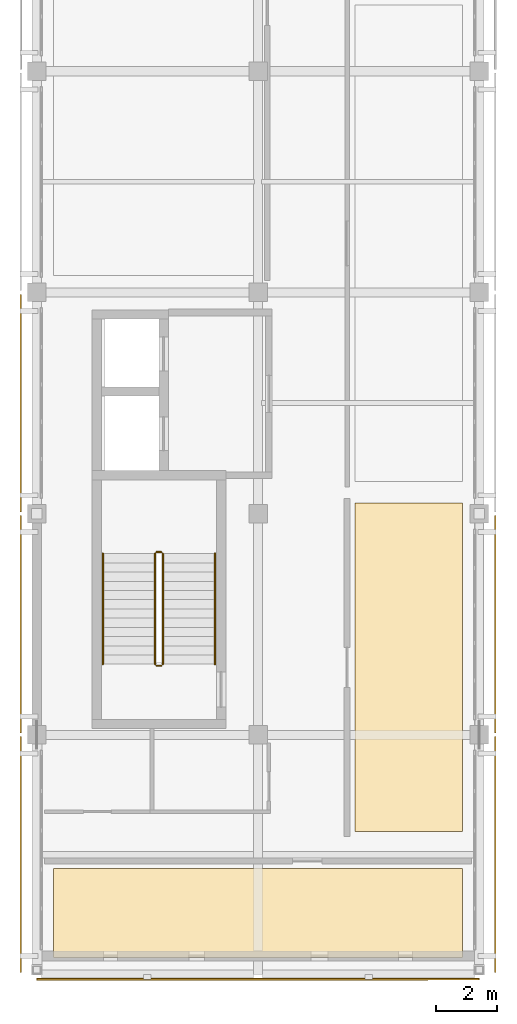
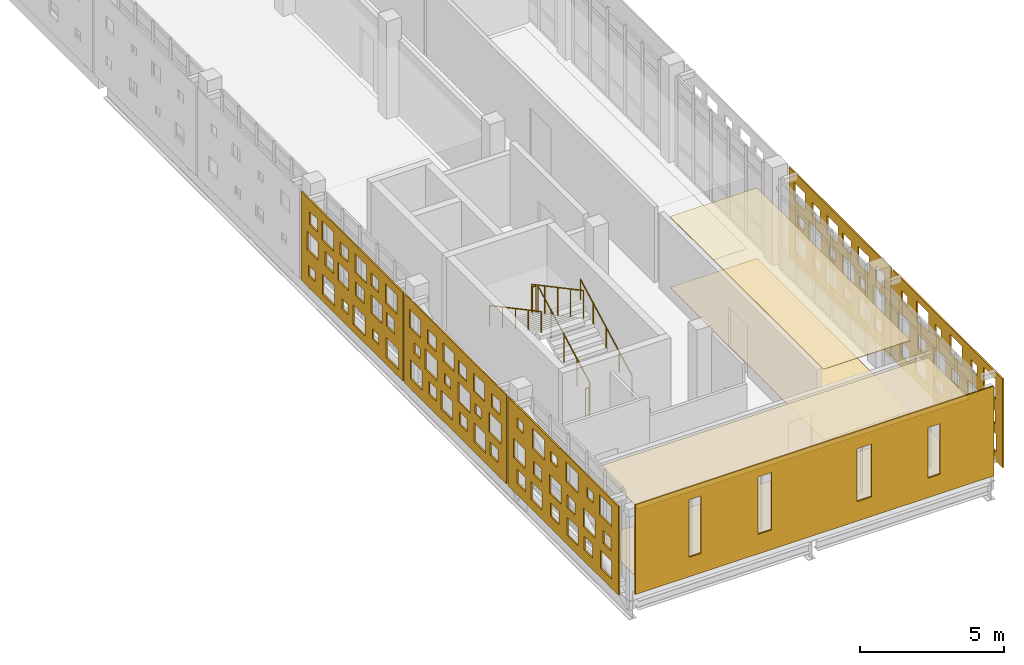
# One storey, part 19 of 21: 10 coverings, 6 railings.
"""IFC4 building model written with IfcOpenShell, lengths in metres."""

import ifcopenshell
import ifcopenshell.guid

model = None  # the IFC model being written
_history = None  # IfcOwnerHistory: only IFC2X3 demands one
_inside = {}  # id of a spatial element -> (the spatial element, [elements in it])
_under = {}  # id of a project, library or spatial element -> (it, [spatial elements below it])
_declared = {}  # id of a project -> (the project, [libraries it declares])
_typed = {}  # id of a type object -> (the type object, [elements of that type])
_made_of = {}  # id of a material, layer set ... -> (it, [elements and type objects made of it])


def new_model(schema):
    """Start an empty IFC model of exactly this schema.

    Asked for "IFC4X3", IfcOpenShell would pick the latest addendum, in which some entities
    have other attributes; the version numbers below select the first issue.
    IFC2X3 requires an IfcOwnerHistory on every rooted entity: one is made here for all.
    """
    global model, _history
    if schema == "IFC4X3":
        model = ifcopenshell.file(schema_version=(4, 3, 0, 0))
    else:
        model = ifcopenshell.file(schema=schema)
    _inside.clear()
    _under.clear()
    _declared.clear()
    _typed.clear()
    _made_of.clear()
    _history = None
    if model.schema == "IFC2X3":
        org = make("IfcOrganization", Name="unknown")
        user = make(
            "IfcPersonAndOrganization",
            ThePerson=make("IfcPerson", FamilyName="unknown"),
            TheOrganization=org,
        )
        app = make(
            "IfcApplication",
            ApplicationDeveloper=org,
            Version="unknown",
            ApplicationFullName="unknown",
            ApplicationIdentifier="unknown",
        )
        _history = make(
            "IfcOwnerHistory",
            OwningUser=user,
            OwningApplication=app,
            ChangeAction="ADDED",
            CreationDate=0,
        )
    return model


def make(cls, **values):
    """One entity of the class cls with the attributes given. An attribute that is None is left unset."""
    return model.create_entity(
        cls, **{name: value for name, value in values.items() if value is not None}
    )


def rooted(cls, **values):
    """An entity with a GlobalId (a new one), such as an element, a storey or a relation."""
    return make(cls, GlobalId=ifcopenshell.guid.new(), OwnerHistory=_history, **values)


def si_unit(unit_type, name, prefix=None):
    """IfcSIUnit, for example si_unit("LENGTHUNIT", "METRE", prefix="MILLI")."""
    return make("IfcSIUnit", UnitType=unit_type, Prefix=prefix, Name=name)


def assignment(units):
    """IfcUnitAssignment: the units of a project."""
    return None if units is None else make("IfcUnitAssignment", Units=units)


def point(xyz):
    """IfcCartesianPoint."""
    return None if xyz is None else make("IfcCartesianPoint", Coordinates=xyz)


def direction(xyz):
    """IfcDirection."""
    return None if xyz is None else make("IfcDirection", DirectionRatios=xyz)


def frame(location, z_axis=None, x_axis=None):
    """IfcAxis2Placement3D, a coordinate frame: its origin and axes. An axis left out is left unset."""
    return make(
        "IfcAxis2Placement3D",
        Location=point(location),
        Axis=direction(z_axis),
        RefDirection=direction(x_axis),
    )


def frame_2d(location, x_axis=None):
    """IfcAxis2Placement2D, a coordinate frame in the plane: its origin and x axis."""
    return make(
        "IfcAxis2Placement2D", Location=point(location), RefDirection=direction(x_axis)
    )


def origin():
    """The frame at (0, 0, 0) with its axes left unset."""
    return frame((0.0, 0.0, 0.0))


def origin_2d():
    """The frame at (0, 0) in the plane with its x axis left unset."""
    return frame_2d((0.0, 0.0))


def place(relative_to, where):
    """IfcLocalPlacement: puts the frame where relative to a parent placement (None: the world)."""
    return make(
        "IfcLocalPlacement", PlacementRelTo=relative_to, RelativePlacement=where
    )


def context(
    kind, dimensions, precision=None, world=None, true_north=None, identifier=None
):
    """IfcGeometricRepresentationContext, for example the 3D "Model" context."""
    return make(
        "IfcGeometricRepresentationContext",
        ContextIdentifier=identifier,
        ContextType=kind,
        CoordinateSpaceDimension=dimensions,
        Precision=precision,
        WorldCoordinateSystem=world,
        TrueNorth=true_north,
    )


def subcontext(parent, identifier, kind, view, scale=None):
    """IfcGeometricRepresentationSubContext, for example "Body" below "Model"."""
    return make(
        "IfcGeometricRepresentationSubContext",
        ContextIdentifier=identifier,
        ContextType=kind,
        ParentContext=parent,
        TargetScale=scale,
        TargetView=view,
    )


def project(units=None, contexts=None):
    """IfcProject with its units and contexts."""
    return rooted(
        "IfcProject",
        Name="project",
        RepresentationContexts=contexts,
        UnitsInContext=assignment(units),
    )


def spatial(cls, under=None, at=None, **own):
    """A site, building, storey or space (cls), placed at a placement, below another one or the project."""
    s = rooted(cls, ObjectPlacement=at, **own)
    if under is not None:
        _under.setdefault(under.id(), (under, []))[1].append(s)
    return s


def polyline(points):
    """IfcPolyline through the points."""
    return make("IfcPolyline", Points=[point(p) for p in points])


def profile(cls, at=None, kind="AREA", **sizes):
    """A parametric profile (cls). Its sizes go by their IFC names, for example OverallWidth=200.0."""
    return make(cls, ProfileType=kind, Position=at, **sizes)


def circle(**sizes):
    """IfcCircleProfileDef."""
    return profile("IfcCircleProfileDef", **sizes)


def outline(outer, holes=None, kind="AREA"):
    """IfcArbitraryClosedProfileDef: a profile drawn as a closed curve; with holes, ...WithVoids."""
    if holes is None:
        return make("IfcArbitraryClosedProfileDef", ProfileType=kind, OuterCurve=outer)
    return make(
        "IfcArbitraryProfileDefWithVoids",
        ProfileType=kind,
        OuterCurve=outer,
        InnerCurves=holes,
    )


def extrude(swept, where, along, depth):
    """IfcExtrudedAreaSolid: the profile swept, set in the frame where, extruded along a direction by depth."""
    return make(
        "IfcExtrudedAreaSolid",
        SweptArea=swept,
        Position=where,
        ExtrudedDirection=direction(along),
        Depth=depth,
    )


def shape(context_of_items, identifier, shape_type, items):
    """IfcShapeRepresentation: the items that make up one representation, for example the "Body"."""
    return make(
        "IfcShapeRepresentation",
        ContextOfItems=context_of_items,
        RepresentationIdentifier=identifier,
        RepresentationType=shape_type,
        Items=items,
    )


def material(Name=None, Category=None):
    """IfcMaterial."""
    return make("IfcMaterial", Name=Name, Category=Category)


def layer(
    of_material, thickness, ventilated=None, Name=None, Category=None, Priority=None
):
    """IfcMaterialLayer: one layer of a wall or slab, of a material (None: an air gap)."""
    return make(
        "IfcMaterialLayer",
        Material=of_material,
        LayerThickness=thickness,
        IsVentilated=ventilated,
        Name=Name,
        Category=Category,
        Priority=Priority,
    )


def layer_set(layers, Name=None):
    """IfcMaterialLayerSet."""
    return make("IfcMaterialLayerSet", MaterialLayers=layers, LayerSetName=Name)


def made_of(thing, what):
    """Note that an element or type object is made of a material, layer set ...; save() writes the relation."""
    if what is not None:
        _made_of.setdefault(what.id(), (what, []))[1].append(thing)
    return thing


def type_object(cls, material=None, **own):
    """A type object (cls), such as IfcWallType, which elements share."""
    return made_of(rooted(cls, **own), material)


def element(
    cls,
    number,
    at=None,
    inside=None,
    cuts=None,
    type_object=None,
    material=None,
    context=None,
    identifier="Body",
    shape_type=None,
    held_by="IfcProductDefinitionShape",
    body=None,
    shapes=None,
    **own,
):
    """One element of the class cls, such as IfcWall. Its Tag is "e" and its number.

    at: its placement. inside: the storey or other place that contains it. cuts: it is an
    opening in that element (IfcRelVoidsElement). A single representation is given by context,
    identifier, shape_type and body (its items); several are given by shapes. held_by: the class
    of the entity that holds the representations. save() writes the other relations.
    """
    e = rooted(cls, Tag="e%d" % number, ObjectPlacement=at, **own)
    if body is not None:
        shapes = [shape(context, identifier, shape_type, body)]
    if shapes is not None:
        e.Representation = make(held_by, Representations=shapes)
    if inside is not None:
        _inside.setdefault(inside.id(), (inside, []))[1].append(e)
    if cuts is not None:
        rooted(
            "IfcRelVoidsElement", RelatingBuildingElement=cuts, RelatedOpeningElement=e
        )
    if type_object is not None:
        _typed.setdefault(type_object.id(), (type_object, []))[1].append(e)
    return made_of(e, material)


def aggregate(whole, parts):
    """IfcRelAggregates: a whole, such as a stair, and the parts it consists of."""
    return rooted("IfcRelAggregates", RelatingObject=whole, RelatedObjects=parts)


def save(model, path):
    """Write the relations noted so far, then the file.

    IfcRelAggregates (storeys below a building ...), IfcRelContainedInSpatialStructure (elements
    in a storey), IfcRelDefinesByType, IfcRelAssociatesMaterial and IfcRelDeclares: one each for
    every whole, place, type object, material and project.
    """
    for whole, parts in _under.values():
        aggregate(whole, parts)
    for where, things in _inside.values():
        rooted(
            "IfcRelContainedInSpatialStructure",
            RelatedElements=things,
            RelatingStructure=where,
        )
    for kind, things in _typed.values():
        rooted("IfcRelDefinesByType", RelatedObjects=things, RelatingType=kind)
    for what, things in _made_of.values():
        rooted("IfcRelAssociatesMaterial", RelatedObjects=things, RelatingMaterial=what)
    for by, libraries in _declared.values():
        rooted("IfcRelDeclares", RelatingContext=by, RelatedDefinitions=libraries)
    model.write(path)


model = new_model("IFC4")

# Units and contexts
model_context = context("Model", 3, precision=1e-05, world=origin(), true_north=direction((0.0, 1.0)))
body_context = subcontext(model_context, "Body", "Model", "MODEL_VIEW")
ifc_project = project(units=[si_unit("LENGTHUNIT", "METRE"), si_unit("AREAUNIT", "SQUARE_METRE"), si_unit("VOLUMEUNIT", "CUBIC_METRE"), si_unit("PLANEANGLEUNIT", "RADIAN"), si_unit("MASSUNIT", "GRAM", prefix="KILO")], contexts=[model_context])

# Site, building, storey
site_placement = place(None, origin())
site = spatial("IfcSite", under=ifc_project, at=site_placement, CompositionType="ELEMENT")
building_placement = place(site_placement, origin())
building = spatial("IfcBuilding", under=site, at=building_placement, Name="Valkovuoma Quantum and Materials Research Institute", CompositionType="ELEMENT")
storey_placement = place(building_placement, frame((0.0, 0.0, 33.919921875)))
storey = spatial("IfcBuildingStorey", under=building, at=storey_placement, Name="L08", CompositionType="ELEMENT", Elevation=33.919921875)

# Coverings
ifc_material_1 = material(Name="Cleanable acoustic mineral-fibre suspended ceiling", Category="masonry")
ifc_layer_1 = layer(ifc_material_1, 0.02490234375)
ifc_layer_set_1 = layer_set([ifc_layer_1], Name="Cleanable acoustic mineral-fibre suspended ceiling")
covering_type_1 = type_object("IfcCoveringType", Name="Cov-CEIL-01", PredefinedType="CEILING", material=ifc_layer_set_1)
covering_1_placement = place(storey_placement, frame((0.0, 0.0, 3.0)))
element("IfcCovering", 1, at=covering_1_placement, inside=storey, type_object=covering_type_1, Name="L08 acoustic ceiling 0156", PredefinedType="CEILING", context=body_context, shape_type="SweptSolid", body=[
    extrude(outline(polyline([(0.550048828125, 21.550048828125), (13.85009765625, 21.550048828125), (13.85009765625, 24.449951171875), (0.550048828125, 24.449951171875), (0.550048828125, 21.550048828125)])), origin(), (0.0, 0.0, 1.0), 0.025146484375),
])
covering_2_placement = place(storey_placement, frame((0.0, 0.0, 3.0)))
element("IfcCovering", 2, at=covering_2_placement, inside=storey, type_object=covering_type_1, Name="L08 acoustic ceiling 0160", PredefinedType="CEILING", context=body_context, shape_type="SweptSolid", body=[
    extrude(outline(polyline([(10.35009765625, 25.64990234375), (13.85009765625, 25.64990234375), (13.85009765625, 36.35009765625), (10.35009765625, 36.35009765625), (10.35009765625, 25.64990234375)])), origin(), (0.0, 0.0, 1.0), 0.025146484375),
])
ifc_material_2 = material(Name="Seamless dissipative laboratory resin flooring", Category="masonry")
ifc_layer_2 = layer(ifc_material_2, 0.014892578125)
ifc_layer_set_2 = layer_set([ifc_layer_2], Name="Seamless dissipative laboratory resin flooring")
covering_type_2 = type_object("IfcCoveringType", Name="Cov-FLOR-01", PredefinedType="FLOORING", material=ifc_layer_set_2)
covering_3_placement = place(storey_placement, origin())
element("IfcCovering", 3, at=covering_3_placement, inside=storey, type_object=covering_type_2, Name="L08 resin flooring 0156", PredefinedType="FLOORING", context=body_context, shape_type="SweptSolid", body=[
    extrude(outline(polyline([(0.550048828125, 21.550048828125), (13.85009765625, 21.550048828125), (13.85009765625, 24.449951171875), (0.550048828125, 24.449951171875), (0.550048828125, 21.550048828125)])), origin(), (0.0, 0.0, 1.0), 0.01513671875),
])
covering_4_placement = place(storey_placement, origin())
element("IfcCovering", 4, at=covering_4_placement, inside=storey, type_object=covering_type_2, Name="L08 resin flooring 0160", PredefinedType="FLOORING", context=body_context, shape_type="SweptSolid", body=[
    extrude(outline(polyline([(10.35009765625, 25.64990234375), (13.85009765625, 25.64990234375), (13.85009765625, 36.35009765625), (10.35009765625, 36.35009765625), (10.35009765625, 25.64990234375)])), origin(), (0.0, 0.0, 1.0), 0.01513671875),
])
ifc_material_3 = material(Name="White powder-coated aluminium architectural panel", Category="aluminium")
ifc_layer_3 = layer(ifc_material_3, 0.054931640625)
ifc_layer_set_3 = layer_set([ifc_layer_3], Name="White powder-coated aluminium architectural panel")
covering_type_3 = type_object("IfcCoveringType", Name="Cov-PERF-DENSE", PredefinedType="CLADDING", material=ifc_layer_set_3)
covering_5_placement = place(storey_placement, frame((-0.52001953125, 21.06005859375, 0.02001953125), z_axis=(0.0, 0.0, 1.0), x_axis=(0.0, 1.0, 0.0)))
element("IfcCovering", 5, at=covering_5_placement, inside=storey, type_object=covering_type_3, Name="L08 graduated perforated white screen W-0116", PredefinedType="CLADDING", context=body_context, shape_type="SweptSolid", body=[
    extrude(outline(polyline([(0.0, 0.0), (7.679931640625, 0.0), (7.679931640625, 3.77001953125), (0.0, 3.77001953125), (0.0, 0.0)]), holes=[polyline([(0.46826171875, 0.39501953125), (0.46826171875, 1.155029296875), (1.228271484375, 1.155029296875), (1.228271484375, 0.39501953125), (0.46826171875, 0.39501953125)]), polyline([(0.518310546875, 1.56494140625), (0.518310546875, 2.10498046875), (1.058349609375, 2.10498046875), (1.058349609375, 1.56494140625), (0.518310546875, 1.56494140625)]), polyline([(0.48828125, 2.625), (0.48828125, 3.465087890625), (1.328369140625, 3.465087890625), (1.328369140625, 2.625), (0.48828125, 2.625)]), polyline([(1.81494140625, 0.485107421875), (1.81494140625, 1.06494140625), (2.39501953125, 1.06494140625), (2.39501953125, 0.485107421875), (1.81494140625, 0.485107421875)]), polyline([(1.64501953125, 1.43505859375), (1.64501953125, 2.235107421875), (2.445068359375, 2.235107421875), (2.445068359375, 1.43505859375), (1.64501953125, 1.43505859375)]), polyline([(1.77490234375, 2.8349609375), (1.77490234375, 3.2548828125), (2.195068359375, 3.2548828125), (2.195068359375, 2.8349609375), (1.77490234375, 2.8349609375)]), polyline([(2.8017578125, 0.39501953125), (2.8017578125, 1.155029296875), (3.561767578125, 1.155029296875), (3.561767578125, 0.39501953125), (2.8017578125, 0.39501953125)]), polyline([(3.03173828125, 1.56494140625), (3.03173828125, 2.10498046875), (3.57177734375, 2.10498046875), (3.57177734375, 1.56494140625), (3.03173828125, 1.56494140625)]), polyline([(2.82177734375, 2.625), (2.82177734375, 3.465087890625), (3.66162109375, 3.465087890625), (3.66162109375, 2.625), (2.82177734375, 2.625)]), polyline([(4.148193359375, 0.485107421875), (4.148193359375, 1.06494140625), (4.728271484375, 1.06494140625), (4.728271484375, 0.485107421875), (4.148193359375, 0.485107421875)]), polyline([(3.978271484375, 1.43505859375), (3.978271484375, 2.235107421875), (4.7783203125, 2.235107421875), (4.7783203125, 1.43505859375), (3.978271484375, 1.43505859375)]), polyline([(4.288330078125, 2.8349609375), (4.288330078125, 3.2548828125), (4.708251953125, 3.2548828125), (4.708251953125, 2.8349609375), (4.288330078125, 2.8349609375)]), polyline([(5.31494140625, 0.39501953125), (5.31494140625, 1.155029296875), (6.074951171875, 1.155029296875), (6.074951171875, 0.39501953125), (5.31494140625, 0.39501953125)]), polyline([(5.364990234375, 1.56494140625), (5.364990234375, 2.10498046875), (5.905029296875, 2.10498046875), (5.905029296875, 1.56494140625), (5.364990234375, 1.56494140625)]), polyline([(5.155029296875, 2.625), (5.155029296875, 3.465087890625), (5.9951171875, 3.465087890625), (5.9951171875, 2.625), (5.155029296875, 2.625)]), polyline([(6.481689453125, 0.485107421875), (6.481689453125, 1.06494140625), (7.061767578125, 1.06494140625), (7.061767578125, 0.485107421875), (6.481689453125, 0.485107421875)]), polyline([(6.49169921875, 1.43505859375), (6.49169921875, 2.235107421875), (7.291748046875, 2.235107421875), (7.291748046875, 1.43505859375), (6.49169921875, 1.43505859375)]), polyline([(6.62158203125, 2.8349609375), (6.62158203125, 3.2548828125), (7.041748046875, 3.2548828125), (7.041748046875, 2.8349609375), (6.62158203125, 2.8349609375)])]), frame((0.0, 0.02734375, 0.0), z_axis=(0.0, -1.0, 0.0), x_axis=(1.0, 0.0, 0.0)), (0.0, 0.0, 1.0), 0.054931640625),
])
covering_6_placement = place(storey_placement, frame((14.919921875, 21.06005859375, 0.02001953125), z_axis=(0.0, 0.0, 1.0), x_axis=(0.0, 1.0, 0.0)))
element("IfcCovering", 6, at=covering_6_placement, inside=storey, type_object=covering_type_3, Name="L08 graduated perforated white screen E-0117", PredefinedType="CLADDING", context=body_context, shape_type="SweptSolid", body=[
    extrude(outline(polyline([(0.0, 0.0), (7.679931640625, 0.0), (7.679931640625, 3.77001953125), (0.0, 3.77001953125), (0.0, 0.0)]), holes=[polyline([(0.46826171875, 0.39501953125), (0.46826171875, 1.155029296875), (1.228271484375, 1.155029296875), (1.228271484375, 0.39501953125), (0.46826171875, 0.39501953125)]), polyline([(0.518310546875, 1.56494140625), (0.518310546875, 2.10498046875), (1.058349609375, 2.10498046875), (1.058349609375, 1.56494140625), (0.518310546875, 1.56494140625)]), polyline([(0.48828125, 2.625), (0.48828125, 3.465087890625), (1.328369140625, 3.465087890625), (1.328369140625, 2.625), (0.48828125, 2.625)]), polyline([(1.81494140625, 0.485107421875), (1.81494140625, 1.06494140625), (2.39501953125, 1.06494140625), (2.39501953125, 0.485107421875), (1.81494140625, 0.485107421875)]), polyline([(1.64501953125, 1.43505859375), (1.64501953125, 2.235107421875), (2.445068359375, 2.235107421875), (2.445068359375, 1.43505859375), (1.64501953125, 1.43505859375)]), polyline([(1.77490234375, 2.8349609375), (1.77490234375, 3.2548828125), (2.195068359375, 3.2548828125), (2.195068359375, 2.8349609375), (1.77490234375, 2.8349609375)]), polyline([(2.8017578125, 0.39501953125), (2.8017578125, 1.155029296875), (3.561767578125, 1.155029296875), (3.561767578125, 0.39501953125), (2.8017578125, 0.39501953125)]), polyline([(3.03173828125, 1.56494140625), (3.03173828125, 2.10498046875), (3.57177734375, 2.10498046875), (3.57177734375, 1.56494140625), (3.03173828125, 1.56494140625)]), polyline([(2.82177734375, 2.625), (2.82177734375, 3.465087890625), (3.66162109375, 3.465087890625), (3.66162109375, 2.625), (2.82177734375, 2.625)]), polyline([(4.148193359375, 0.485107421875), (4.148193359375, 1.06494140625), (4.728271484375, 1.06494140625), (4.728271484375, 0.485107421875), (4.148193359375, 0.485107421875)]), polyline([(3.978271484375, 1.43505859375), (3.978271484375, 2.235107421875), (4.7783203125, 2.235107421875), (4.7783203125, 1.43505859375), (3.978271484375, 1.43505859375)]), polyline([(4.288330078125, 2.8349609375), (4.288330078125, 3.2548828125), (4.708251953125, 3.2548828125), (4.708251953125, 2.8349609375), (4.288330078125, 2.8349609375)]), polyline([(5.31494140625, 0.39501953125), (5.31494140625, 1.155029296875), (6.074951171875, 1.155029296875), (6.074951171875, 0.39501953125), (5.31494140625, 0.39501953125)]), polyline([(5.364990234375, 1.56494140625), (5.364990234375, 2.10498046875), (5.905029296875, 2.10498046875), (5.905029296875, 1.56494140625), (5.364990234375, 1.56494140625)]), polyline([(5.155029296875, 2.625), (5.155029296875, 3.465087890625), (5.9951171875, 3.465087890625), (5.9951171875, 2.625), (5.155029296875, 2.625)]), polyline([(6.481689453125, 0.485107421875), (6.481689453125, 1.06494140625), (7.061767578125, 1.06494140625), (7.061767578125, 0.485107421875), (6.481689453125, 0.485107421875)]), polyline([(6.49169921875, 1.43505859375), (6.49169921875, 2.235107421875), (7.291748046875, 2.235107421875), (7.291748046875, 1.43505859375), (6.49169921875, 1.43505859375)]), polyline([(6.62158203125, 2.8349609375), (6.62158203125, 3.2548828125), (7.041748046875, 3.2548828125), (7.041748046875, 2.8349609375), (6.62158203125, 2.8349609375)])]), frame((0.0, 0.02734375, 0.0), z_axis=(0.0, -1.0, 0.0), x_axis=(1.0, 0.0, 0.0)), (0.0, 0.0, 1.0), 0.054931640625),
])
covering_7_placement = place(storey_placement, frame((-0.52001953125, 28.860107421875, 0.02001953125), z_axis=(0.0, 0.0, 1.0), x_axis=(0.0, 1.0, 0.0)))
element("IfcCovering", 7, at=covering_7_placement, inside=storey, type_object=covering_type_3, Name="L08 graduated perforated white screen W-0118", PredefinedType="CLADDING", context=body_context, shape_type="SweptSolid", body=[
    extrude(outline(polyline([(0.0, 0.0), (7.079833984375, 0.0), (7.079833984375, 3.77001953125), (0.0, 3.77001953125), (0.0, 0.0)]), holes=[polyline([(0.58837890625, 0.554931640625), (0.58837890625, 1.094970703125), (1.12841796875, 1.094970703125), (1.12841796875, 0.554931640625), (0.58837890625, 0.554931640625)]), polyline([(0.37841796875, 1.465087890625), (0.37841796875, 2.304931640625), (1.21826171875, 2.304931640625), (1.21826171875, 1.465087890625), (0.37841796875, 1.465087890625)]), polyline([(0.4482421875, 2.655029296875), (0.4482421875, 3.235107421875), (1.0283203125, 3.235107421875), (1.0283203125, 2.655029296875), (0.4482421875, 2.655029296875)]), polyline([(1.43505859375, 0.425048828125), (1.43505859375, 1.22509765625), (2.235107421875, 1.22509765625), (2.235107421875, 0.425048828125), (1.43505859375, 0.425048828125)]), polyline([(1.7451171875, 1.675048828125), (1.7451171875, 2.094970703125), (2.1650390625, 2.094970703125), (2.1650390625, 1.675048828125), (1.7451171875, 1.675048828125)]), polyline([(1.514892578125, 2.56494140625), (1.514892578125, 3.324951171875), (2.27490234375, 3.324951171875), (2.27490234375, 2.56494140625), (1.514892578125, 2.56494140625)]), polyline([(2.7216796875, 0.554931640625), (2.7216796875, 1.094970703125), (3.26171875, 1.094970703125), (3.26171875, 0.554931640625), (2.7216796875, 0.554931640625)]), polyline([(2.51171875, 1.465087890625), (2.51171875, 2.304931640625), (3.351806640625, 2.304931640625), (3.351806640625, 1.465087890625), (2.51171875, 1.465087890625)]), polyline([(2.76171875, 2.655029296875), (2.76171875, 3.235107421875), (3.341796875, 3.235107421875), (3.341796875, 2.655029296875), (2.76171875, 2.655029296875)]), polyline([(3.748291015625, 0.425048828125), (3.748291015625, 1.22509765625), (4.54833984375, 1.22509765625), (4.54833984375, 0.425048828125), (3.748291015625, 0.425048828125)]), polyline([(3.87841796875, 1.675048828125), (3.87841796875, 2.094970703125), (4.29833984375, 2.094970703125), (4.29833984375, 1.675048828125), (3.87841796875, 1.675048828125)]), polyline([(3.648193359375, 2.56494140625), (3.648193359375, 3.324951171875), (4.408203125, 3.324951171875), (4.408203125, 2.56494140625), (3.648193359375, 2.56494140625)]), polyline([(4.85498046875, 0.554931640625), (4.85498046875, 1.094970703125), (5.39501953125, 1.094970703125), (5.39501953125, 0.554931640625), (4.85498046875, 0.554931640625)]), polyline([(4.824951171875, 1.465087890625), (4.824951171875, 2.304931640625), (5.6650390625, 2.304931640625), (5.6650390625, 1.465087890625), (4.824951171875, 1.465087890625)]), polyline([(4.89501953125, 2.655029296875), (4.89501953125, 3.235107421875), (5.47509765625, 3.235107421875), (5.47509765625, 2.655029296875), (4.89501953125, 2.655029296875)]), polyline([(5.881591796875, 0.425048828125), (5.881591796875, 1.22509765625), (6.681640625, 1.22509765625), (6.681640625, 0.425048828125), (5.881591796875, 0.425048828125)]), polyline([(6.01171875, 1.675048828125), (6.01171875, 2.094970703125), (6.431640625, 2.094970703125), (6.431640625, 1.675048828125), (6.01171875, 1.675048828125)]), polyline([(5.961669921875, 2.56494140625), (5.961669921875, 3.324951171875), (6.7216796875, 3.324951171875), (6.7216796875, 2.56494140625), (5.961669921875, 2.56494140625)])]), frame((0.0, 0.02734375, 0.0), z_axis=(0.0, -1.0, 0.0), x_axis=(1.0, 0.0, 0.0)), (0.0, 0.0, 1.0), 0.054931640625),
])
covering_8_placement = place(storey_placement, frame((14.919921875, 28.860107421875, 0.02001953125), z_axis=(0.0, 0.0, 1.0), x_axis=(0.0, 1.0, 0.0)))
element("IfcCovering", 8, at=covering_8_placement, inside=storey, type_object=covering_type_3, Name="L08 graduated perforated white screen E-0119", PredefinedType="CLADDING", context=body_context, shape_type="SweptSolid", body=[
    extrude(outline(polyline([(0.0, 0.0), (7.079833984375, 0.0), (7.079833984375, 3.77001953125), (0.0, 3.77001953125), (0.0, 0.0)]), holes=[polyline([(0.58837890625, 0.554931640625), (0.58837890625, 1.094970703125), (1.12841796875, 1.094970703125), (1.12841796875, 0.554931640625), (0.58837890625, 0.554931640625)]), polyline([(0.37841796875, 1.465087890625), (0.37841796875, 2.304931640625), (1.21826171875, 2.304931640625), (1.21826171875, 1.465087890625), (0.37841796875, 1.465087890625)]), polyline([(0.4482421875, 2.655029296875), (0.4482421875, 3.235107421875), (1.0283203125, 3.235107421875), (1.0283203125, 2.655029296875), (0.4482421875, 2.655029296875)]), polyline([(1.43505859375, 0.425048828125), (1.43505859375, 1.22509765625), (2.235107421875, 1.22509765625), (2.235107421875, 0.425048828125), (1.43505859375, 0.425048828125)]), polyline([(1.7451171875, 1.675048828125), (1.7451171875, 2.094970703125), (2.1650390625, 2.094970703125), (2.1650390625, 1.675048828125), (1.7451171875, 1.675048828125)]), polyline([(1.514892578125, 2.56494140625), (1.514892578125, 3.324951171875), (2.27490234375, 3.324951171875), (2.27490234375, 2.56494140625), (1.514892578125, 2.56494140625)]), polyline([(2.7216796875, 0.554931640625), (2.7216796875, 1.094970703125), (3.26171875, 1.094970703125), (3.26171875, 0.554931640625), (2.7216796875, 0.554931640625)]), polyline([(2.51171875, 1.465087890625), (2.51171875, 2.304931640625), (3.351806640625, 2.304931640625), (3.351806640625, 1.465087890625), (2.51171875, 1.465087890625)]), polyline([(2.76171875, 2.655029296875), (2.76171875, 3.235107421875), (3.341796875, 3.235107421875), (3.341796875, 2.655029296875), (2.76171875, 2.655029296875)]), polyline([(3.748291015625, 0.425048828125), (3.748291015625, 1.22509765625), (4.54833984375, 1.22509765625), (4.54833984375, 0.425048828125), (3.748291015625, 0.425048828125)]), polyline([(3.87841796875, 1.675048828125), (3.87841796875, 2.094970703125), (4.29833984375, 2.094970703125), (4.29833984375, 1.675048828125), (3.87841796875, 1.675048828125)]), polyline([(3.648193359375, 2.56494140625), (3.648193359375, 3.324951171875), (4.408203125, 3.324951171875), (4.408203125, 2.56494140625), (3.648193359375, 2.56494140625)]), polyline([(4.85498046875, 0.554931640625), (4.85498046875, 1.094970703125), (5.39501953125, 1.094970703125), (5.39501953125, 0.554931640625), (4.85498046875, 0.554931640625)]), polyline([(4.824951171875, 1.465087890625), (4.824951171875, 2.304931640625), (5.6650390625, 2.304931640625), (5.6650390625, 1.465087890625), (4.824951171875, 1.465087890625)]), polyline([(4.89501953125, 2.655029296875), (4.89501953125, 3.235107421875), (5.47509765625, 3.235107421875), (5.47509765625, 2.655029296875), (4.89501953125, 2.655029296875)]), polyline([(5.881591796875, 0.425048828125), (5.881591796875, 1.22509765625), (6.681640625, 1.22509765625), (6.681640625, 0.425048828125), (5.881591796875, 0.425048828125)]), polyline([(6.01171875, 1.675048828125), (6.01171875, 2.094970703125), (6.431640625, 2.094970703125), (6.431640625, 1.675048828125), (6.01171875, 1.675048828125)]), polyline([(5.961669921875, 2.56494140625), (5.961669921875, 3.324951171875), (6.7216796875, 3.324951171875), (6.7216796875, 2.56494140625), (5.961669921875, 2.56494140625)])]), frame((0.0, 0.02734375, 0.0), z_axis=(0.0, -1.0, 0.0), x_axis=(1.0, 0.0, 0.0)), (0.0, 0.0, 1.0), 0.054931640625),
])
covering_9_placement = place(storey_placement, frame((-0.52001953125, 36.06005859375, 0.02001953125), z_axis=(0.0, 0.0, 1.0), x_axis=(0.0, 1.0, 0.0)))
element("IfcCovering", 9, at=covering_9_placement, inside=storey, type_object=covering_type_3, Name="L08 graduated perforated white screen W-0120", PredefinedType="CLADDING", context=body_context, shape_type="SweptSolid", body=[
    extrude(outline(polyline([(0.0, 0.0), (7.079833984375, 0.0), (7.079833984375, 3.77001953125), (0.0, 3.77001953125), (0.0, 0.0)]), holes=[polyline([(0.318359375, 0.304931640625), (0.318359375, 1.14501953125), (1.158203125, 1.14501953125), (1.158203125, 0.304931640625), (0.318359375, 0.304931640625)]), polyline([(0.568359375, 1.64501953125), (0.568359375, 2.22509765625), (1.148193359375, 2.22509765625), (1.148193359375, 1.64501953125), (0.568359375, 1.64501953125)]), polyline([(0.398193359375, 2.594970703125), (0.398193359375, 3.39501953125), (1.1982421875, 3.39501953125), (1.1982421875, 2.594970703125), (0.398193359375, 2.594970703125)]), polyline([(1.68505859375, 0.514892578125), (1.68505859375, 0.93505859375), (2.10498046875, 0.93505859375), (2.10498046875, 0.514892578125), (1.68505859375, 0.514892578125)]), polyline([(1.455078125, 1.554931640625), (1.455078125, 2.31494140625), (2.215087890625, 2.31494140625), (2.215087890625, 1.554931640625), (1.455078125, 1.554931640625)]), polyline([(1.68505859375, 2.72509765625), (1.68505859375, 3.264892578125), (2.22509765625, 3.264892578125), (2.22509765625, 2.72509765625), (1.68505859375, 2.72509765625)]), polyline([(2.631591796875, 0.304931640625), (2.631591796875, 1.14501953125), (3.4716796875, 1.14501953125), (3.4716796875, 0.304931640625), (2.631591796875, 0.304931640625)]), polyline([(2.70166015625, 1.64501953125), (2.70166015625, 2.22509765625), (3.28173828125, 2.22509765625), (3.28173828125, 1.64501953125), (2.70166015625, 1.64501953125)]), polyline([(2.53173828125, 2.594970703125), (2.53173828125, 3.39501953125), (3.331787109375, 3.39501953125), (3.331787109375, 2.594970703125), (2.53173828125, 2.594970703125)]), polyline([(3.818359375, 0.514892578125), (3.818359375, 0.93505859375), (4.23828125, 0.93505859375), (4.23828125, 0.514892578125), (3.818359375, 0.514892578125)]), polyline([(3.768310546875, 1.554931640625), (3.768310546875, 2.31494140625), (4.5283203125, 2.31494140625), (4.5283203125, 1.554931640625), (3.768310546875, 1.554931640625)]), polyline([(3.818359375, 2.72509765625), (3.818359375, 3.264892578125), (4.3583984375, 3.264892578125), (4.3583984375, 2.72509765625), (3.818359375, 2.72509765625)]), polyline([(4.764892578125, 0.304931640625), (4.764892578125, 1.14501953125), (5.60498046875, 1.14501953125), (5.60498046875, 0.304931640625), (4.764892578125, 0.304931640625)]), polyline([(4.8349609375, 1.64501953125), (4.8349609375, 2.22509765625), (5.4150390625, 2.22509765625), (5.4150390625, 1.64501953125), (4.8349609375, 1.64501953125)]), polyline([(4.844970703125, 2.594970703125), (4.844970703125, 3.39501953125), (5.64501953125, 3.39501953125), (5.64501953125, 2.594970703125), (4.844970703125, 2.594970703125)]), polyline([(6.131591796875, 0.514892578125), (6.131591796875, 0.93505859375), (6.5517578125, 0.93505859375), (6.5517578125, 0.514892578125), (6.131591796875, 0.514892578125)]), polyline([(5.901611328125, 1.554931640625), (5.901611328125, 2.31494140625), (6.66162109375, 2.31494140625), (6.66162109375, 1.554931640625), (5.901611328125, 1.554931640625)]), polyline([(5.95166015625, 2.72509765625), (5.95166015625, 3.264892578125), (6.49169921875, 3.264892578125), (6.49169921875, 2.72509765625), (5.95166015625, 2.72509765625)])]), frame((0.0, 0.02734375, 0.0), z_axis=(0.0, -1.0, 0.0), x_axis=(1.0, 0.0, 0.0)), (0.0, 0.0, 1.0), 0.054931640625),
])
ifc_material_4 = material(Name="White powder-coated aluminium architectural panel", Category="aluminium")
ifc_layer_4 = layer(ifc_material_4, 0.054931640625)
ifc_layer_set_4 = layer_set([ifc_layer_4], Name="White powder-coated aluminium architectural panel")
covering_type_4 = type_object("IfcCoveringType", Name="Cov-WHITE-01", PredefinedType="CLADDING", material=ifc_layer_set_4)
covering_10_placement = place(storey_placement, frame((0.0, 20.85009765625, 0.0), z_axis=(0.0, 0.0, 1.0), x_axis=(1.0, 0.0, 0.0)))
element("IfcCovering", 10, at=covering_10_placement, inside=storey, type_object=covering_type_4, Name="L08 south white slot-window end skin", PredefinedType="CLADDING", context=body_context, shape_type="SweptSolid", body=[
    extrude(outline(polyline([(0.0, 0.0), (14.39990234375, 0.0), (14.39990234375, 3.81005859375), (0.0, 3.81005859375), (0.0, 0.0)]), holes=[polyline([(2.155029296875, 0.830078125), (2.155029296875, 3.27001953125), (2.64501953125, 3.27001953125), (2.64501953125, 0.830078125), (2.155029296875, 0.830078125)]), polyline([(4.929931640625, 0.830078125), (4.929931640625, 3.27001953125), (5.469970703125, 3.27001953125), (5.469970703125, 0.830078125), (4.929931640625, 0.830078125)]), polyline([(8.905029296875, 0.830078125), (8.905029296875, 3.070068359375), (9.4951171875, 3.070068359375), (9.4951171875, 0.830078125), (8.905029296875, 0.830078125)]), polyline([(11.7548828125, 0.830078125), (11.7548828125, 2.969970703125), (12.2451171875, 2.969970703125), (12.2451171875, 0.830078125), (11.7548828125, 0.830078125)])]), frame((0.0, 0.02734375, 0.0), z_axis=(0.0, -1.0, 0.0), x_axis=(1.0, 0.0, 0.0)), (0.0, 0.0, 1.0), 0.054931640625),
])

# Railings
ifc_material_5 = material(Name="Painted steel stair balustrade", Category="steel")
railing_type_1 = type_object("IfcRailingType", Name="Rail-GRD-ST", PredefinedType="BALUSTRADE", material=ifc_material_5)
railing_1_placement = place(storey_placement, frame((4.10009765625, 31.10009765625, 0.16015625)))
element("IfcRailing", 11, at=railing_1_placement, inside=storey, type_object=railing_type_1, Name="L08 ST-1 stair guard 1", PredefinedType="BALUSTRADE", context=body_context, shape_type="SweptSolid", body=[
    extrude(circle(Radius=0.02392578125, at=origin_2d()), frame((0.0, 0.0, 1.17578125), z_axis=(0.0, 0.882352941176, 0.470588235294), x_axis=(-1.0, 0.0, 0.0)), (0.0, 0.0, 1.0), 4.079833984375),
    extrude(circle(Radius=0.02099609375, at=origin_2d()), origin(), (0.0, 0.0, 1.0), 1.15185546875),
    extrude(circle(Radius=0.02099609375, at=origin_2d()), frame((0.0, 0.89990234375, 0.47998046875)), (0.0, 0.0, 1.0), 1.15185546875),
    extrude(circle(Radius=0.02099609375, at=origin_2d()), frame((0.0, 1.7998046875, 0.9599609375)), (0.0, 0.0, 1.0), 1.15185546875),
    extrude(circle(Radius=0.02099609375, at=origin_2d()), frame((0.0, 2.699951171875, 1.43994140625)), (0.0, 0.0, 1.0), 1.15185546875),
    extrude(circle(Radius=0.02099609375, at=origin_2d()), frame((0.0, 3.599853515625, 1.919921875)), (0.0, 0.0, 1.0), 1.15185546875),
])
railing_2_placement = place(storey_placement, frame((4.050048828125, 34.75, 2.080078125)))
element("IfcRailing", 12, at=railing_2_placement, inside=storey, type_object=railing_type_1, Name="L08 ST-1 stair guard 2", PredefinedType="BALUSTRADE", context=body_context, shape_type="SweptSolid", body=[
    extrude(circle(Radius=0.02392578125, at=origin_2d()), frame((0.0, 0.0, 1.17578125), z_axis=(-1.0, 0.0, 0.0), x_axis=(0.0, -1.0, 0.0)), (0.0, 0.0, 1.0), 0.150146484375),
    extrude(circle(Radius=0.02099609375, at=origin_2d()), origin(), (0.0, 0.0, 1.0), 1.15185546875),
    extrude(circle(Radius=0.02099609375, at=origin_2d()), frame((-0.150146484375, 0.0, 0.0)), (0.0, 0.0, 1.0), 1.15185546875),
])
railing_3_placement = place(storey_placement, frame((3.85009765625, 34.699951171875, 2.239990234375)))
element("IfcRailing", 13, at=railing_3_placement, inside=storey, type_object=railing_type_1, Name="L08 ST-1 stair guard 3", PredefinedType="BALUSTRADE", context=body_context, shape_type="SweptSolid", body=[
    extrude(circle(Radius=0.02392578125, at=origin_2d()), frame((0.0, 0.0, 1.17578125), z_axis=(0.0, -0.882328093246, 0.470634822203), x_axis=(1.0, 0.0, 0.0)), (0.0, 0.0, 1.0), 4.079833984375),
    extrude(circle(Radius=0.02099609375, at=origin_2d()), origin(), (0.0, 0.0, 1.0), 1.15185546875),
    extrude(circle(Radius=0.02099609375, at=origin_2d()), frame((0.0, -0.89990234375, 0.47998046875)), (0.0, 0.0, 1.0), 1.15185546875),
    extrude(circle(Radius=0.02099609375, at=origin_2d()), frame((0.0, -1.7998046875, 0.9599609375)), (0.0, 0.0, 1.0), 1.15185546875),
    extrude(circle(Radius=0.02099609375, at=origin_2d()), frame((0.0, -2.699951171875, 1.440185546875)), (0.0, 0.0, 1.0), 1.15185546875),
    extrude(circle(Radius=0.02099609375, at=origin_2d()), frame((0.0, -3.599853515625, 1.920166015625)), (0.0, 0.0, 1.0), 1.15185546875),
])
railing_4_placement = place(storey_placement, frame((4.050048828125, 31.050048828125, 0.0)))
element("IfcRailing", 14, at=railing_4_placement, inside=storey, type_object=railing_type_1, Name="L08 ST-1 stair guard 4", PredefinedType="BALUSTRADE", context=body_context, shape_type="SweptSolid", body=[
    extrude(circle(Radius=0.02392578125, at=origin_2d()), frame((0.0, 0.0, 1.17578125), z_axis=(-1.0, 0.0, 0.0), x_axis=(0.0, -1.0, 0.0)), (0.0, 0.0, 1.0), 0.150146484375),
    extrude(circle(Radius=0.02099609375, at=origin_2d()), origin(), (0.0, 0.0, 1.0), 1.15185546875),
    extrude(circle(Radius=0.02099609375, at=origin_2d()), frame((-0.150146484375, 0.0, 0.0)), (0.0, 0.0, 1.0), 1.15185546875),
])
ifc_material_6 = material(Name="Brushed stainless steel handrail", Category="steel")
railing_type_2 = type_object("IfcRailingType", Name="Rail-HR-ST", PredefinedType="HANDRAIL", material=ifc_material_6)
railing_5_placement = place(storey_placement, frame((5.800048828125, 31.10009765625, 0.16015625)))
element("IfcRailing", 15, at=railing_5_placement, inside=storey, type_object=railing_type_2, Name="L08 ST-1 stair handrail 1", PredefinedType="HANDRAIL", context=body_context, shape_type="SweptSolid", body=[
    extrude(circle(Radius=0.02392578125, at=origin_2d()), frame((0.0, 0.0, 0.8759765625), z_axis=(0.0, 0.882352941176, 0.470588235294), x_axis=(-1.0, 0.0, 0.0)), (0.0, 0.0, 1.0), 4.079833984375),
    extrude(circle(Radius=0.02099609375, at=origin_2d()), origin(), (0.0, 0.0, 1.0), 0.851806640625),
    extrude(circle(Radius=0.02099609375, at=origin_2d()), frame((0.0, 0.89990234375, 0.47998046875)), (0.0, 0.0, 1.0), 0.851806640625),
    extrude(circle(Radius=0.02099609375, at=origin_2d()), frame((0.0, 1.7998046875, 0.9599609375)), (0.0, 0.0, 1.0), 0.851806640625),
    extrude(circle(Radius=0.02099609375, at=origin_2d()), frame((0.0, 2.699951171875, 1.43994140625)), (0.0, 0.0, 1.0), 0.851806640625),
    extrude(circle(Radius=0.02099609375, at=origin_2d()), frame((0.0, 3.599853515625, 1.919921875)), (0.0, 0.0, 1.0), 0.851806640625),
])
railing_6_placement = place(storey_placement, frame((2.14990234375, 34.699951171875, 2.239990234375)))
element("IfcRailing", 16, at=railing_6_placement, inside=storey, type_object=railing_type_2, Name="L08 ST-1 stair handrail 2", PredefinedType="HANDRAIL", context=body_context, shape_type="SweptSolid", body=[
    extrude(circle(Radius=0.02392578125, at=origin_2d()), frame((0.0, 0.0, 0.8759765625), z_axis=(0.0, -0.882328093246, 0.470634822203), x_axis=(1.0, 0.0, 0.0)), (0.0, 0.0, 1.0), 4.079833984375),
    extrude(circle(Radius=0.02099609375, at=origin_2d()), origin(), (0.0, 0.0, 1.0), 0.851806640625),
    extrude(circle(Radius=0.02099609375, at=origin_2d()), frame((0.0, -0.89990234375, 0.47998046875)), (0.0, 0.0, 1.0), 0.851806640625),
    extrude(circle(Radius=0.02099609375, at=origin_2d()), frame((0.0, -1.7998046875, 0.9599609375)), (0.0, 0.0, 1.0), 0.851806640625),
    extrude(circle(Radius=0.02099609375, at=origin_2d()), frame((0.0, -2.699951171875, 1.440185546875)), (0.0, 0.0, 1.0), 0.851806640625),
    extrude(circle(Radius=0.02099609375, at=origin_2d()), frame((0.0, -3.599853515625, 1.920166015625)), (0.0, 0.0, 1.0), 0.851806640625),
])

save(model, "model.ifc")
